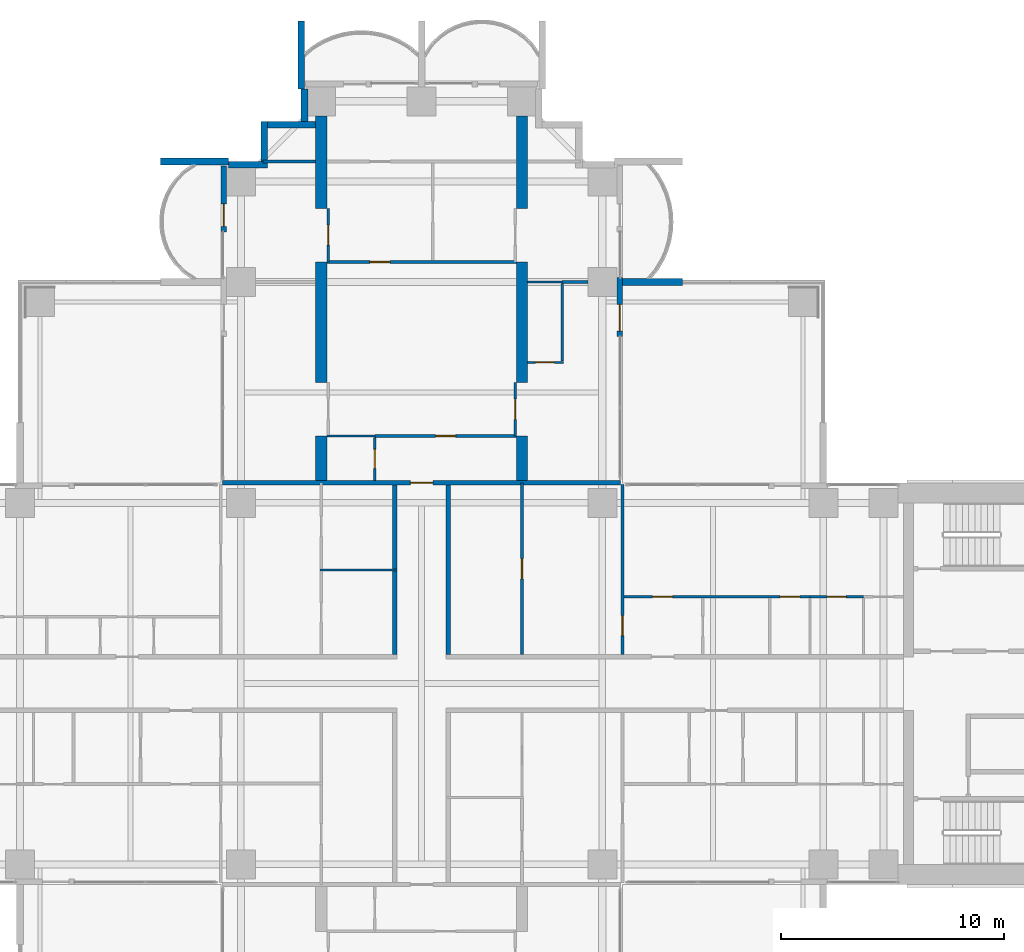
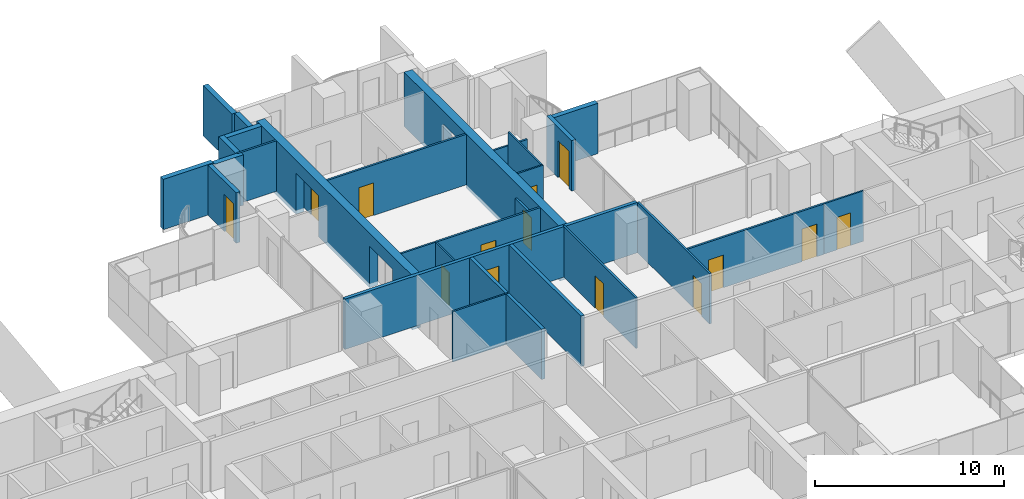
# One storey, part 15 of 22: 30 walls, 14 doors, 14 openings.
"""IFC4 building model written with IfcOpenShell, lengths in metres."""

from ifc_helpers import new_model, si_unit, direction, frame, frame_2d, origin, place, context, subcontext, project, spatial, polyline, rectangle, outline, extrude, material, layer, layer_set, material_profile, profile_set, type_object, element, fill, save


model = new_model("IFC4")

# Units and contexts
model_context = context("Model", 3, precision=1e-05, world=origin(), true_north=direction((0.0, 1.0)))
body_context = subcontext(model_context, "Body", "Model", "MODEL_VIEW")
ifc_project = project(units=[si_unit("LENGTHUNIT", "METRE"), si_unit("AREAUNIT", "SQUARE_METRE"), si_unit("VOLUMEUNIT", "CUBIC_METRE"), si_unit("PLANEANGLEUNIT", "RADIAN"), si_unit("MASSUNIT", "GRAM", prefix="KILO")], contexts=[model_context])

# Site, building, storey
site_placement = place(None, origin())
site = spatial("IfcSite", under=ifc_project, at=site_placement, CompositionType="ELEMENT")
building_placement = place(site_placement, origin())
building = spatial("IfcBuilding", under=site, at=building_placement, Name="Perihelion Cross Residences", CompositionType="ELEMENT")
storey_placement = place(building_placement, frame((0.0, 0.0, 50.5)))
storey = spatial("IfcBuildingStorey", under=building, at=storey_placement, Name="L09", CompositionType="ELEMENT", Elevation=50.5)

# Walls
ifc_material_1 = material(Name="Plasterboard partition")
ifc_layer_1 = layer(ifc_material_1, 0.199951171875)
ifc_layer_set_1 = layer_set([ifc_layer_1], Name="Apartment separation wall 200")
wall_type_1 = type_object("IfcWallType", Name="Apartment separation wall 200", PredefinedType="PARTITIONING", material=ifc_layer_set_1)
for number, where, z_axis, x_axis, name in (
    (1, (1.199951171875, 8.89990234375, 0.0), (0.0, 0.0, 1.0), (0.0, -1.0, 0.0), "Partition L09 W002"),
    (2, (-1.199951171875, 1.300048828125, 0.0), (0.0, 0.0, 1.0), (0.0, 1.0, 0.0), "Partition L09 W006"),
):
    element("IfcWall", number, at=place(storey_placement, frame(where, z_axis=z_axis, x_axis=x_axis)), inside=storey, type_object=wall_type_1, Name=name, PredefinedType="PARTITIONING", context=body_context, shape_type="SweptSolid", body=[
        extrude(rectangle(XDim=7.599853515625, YDim=0.199951171875, at=frame_2d((3.7998046875, 0.0))), origin(), (0.0, 0.0, 1.0), 3.25),
    ])

# Wall, opening, door
wall_1_placement = place(storey_placement, frame((-8.919921875, 9.0, 0.0), z_axis=(0.0, 0.0, 1.0), x_axis=(1.0, 0.0, 0.0)))
wall_1 = element("IfcWall", 3, at=wall_1_placement, inside=storey, type_object=wall_type_1, Name="Partition L09 W009", PredefinedType="PARTITIONING", context=body_context, shape_type="SweptSolid", body=[
    extrude(rectangle(XDim=17.83984375, YDim=0.199951171875, at=frame_2d((8.919921875, 0.0))), origin(), (0.0, 0.0, 1.0), 3.25),
])
opening_1_placement = place(wall_1_placement, frame((8.419921875, 0.0, 0.0)))
opening_1 = element("IfcOpeningElement", 4, at=opening_1_placement, cuts=wall_1, Name="Opening L09.A32", PredefinedType="OPENING", context=body_context, shape_type="SweptSolid", body=[
    extrude(rectangle(XDim=1.0, YDim=2.10009765625, at=frame_2d((0.5, 1.050048828125))), frame((0.0, 0.10986328125, 0.0), z_axis=(0.0, -1.0, 0.0), x_axis=(1.0, 0.0, 0.0)), (0.0, 0.0, 1.0), 0.219970703125),
])
ifc_material_2 = material(Name="Timber door leaf", Category="wood")
door_type_1 = type_object("IfcDoorType", Name="Flat entrance door 1000 x 2100", OperationType="SINGLE_SWING_LEFT", PredefinedType="DOOR", material=ifc_material_2)
door_1_placement = place(opening_1_placement, origin())
door_1 = element("IfcDoor", 5, at=door_1_placement, inside=storey, type_object=door_type_1, Name="Door L09.A32", OperationType="SINGLE_SWING_RIGHT", OverallHeight=2.10009765625, OverallWidth=1.0, PredefinedType="DOOR", context=body_context, shape_type="SweptSolid", body=[
    extrude(rectangle(XDim=1.0, YDim=2.10009765625, at=frame_2d((0.5, 1.050048828125))), frame((0.0, 0.02490234375, 0.0), z_axis=(0.0, -1.0, 0.0), x_axis=(1.0, 0.0, 0.0)), (0.0, 0.0, 1.0), 0.050048828125),
])
fill(opening_1, door_1)

ifc_material_3 = material(Name="Concrete C30/37, bronze-clad", Category="concrete")
ifc_layer_2 = layer(ifc_material_3, 0.25)
ifc_layer_set_2 = layer_set([ifc_layer_2], Name="Bronze-clad pier wall 250")
wall_type_2 = type_object("IfcWallType", Name="Bronze-clad pier wall 250", PredefinedType="SOLIDWALL", material=ifc_layer_set_2)
wall_2_placement = place(storey_placement, frame((8.875, 15.550048828125, 0.0), z_axis=(0.0, 0.0, 1.0), x_axis=(0.0, 1.0, 0.0)))
wall_2 = element("IfcWall", 6, at=wall_2_placement, inside=storey, type_object=wall_type_2, Name="Wall FW1 L09 north side east bay 1 pier", PredefinedType="SOLIDWALL", context=body_context, shape_type="SweptSolid", body=[
    extrude(rectangle(XDim=2.64990234375, YDim=0.25, at=frame_2d((1.324951171875, 0.0))), origin(), (0.0, 0.0, 1.0), 3.25),
])
opening_2_placement = place(wall_2_placement, frame((0.25, 0.0, 0.0)))
opening_2 = element("IfcOpeningElement", 7, at=opening_2_placement, cuts=wall_2, Name="Opening L09.E02", PredefinedType="OPENING", context=body_context, shape_type="SweptSolid", body=[
    extrude(rectangle(XDim=1.199951171875, YDim=2.39990234375, at=frame_2d((0.60009765625, 1.199951171875))), frame((0.0, 0.135009765625, 0.0), z_axis=(0.0, -1.0, 0.0), x_axis=(1.0, 0.0, 0.0)), (0.0, 0.0, 1.0), 0.27001953125),
])
ifc_material_4 = material(Name="Bronze anodised aluminium, glazed", Category="aluminium")
door_type_2 = type_object("IfcDoorType", Name="Balcony door 1200 x 2400", OperationType="NOTDEFINED", PredefinedType="DOOR", material=ifc_material_4)
door_2_placement = place(opening_2_placement, origin())
door_2 = element("IfcDoor", 8, at=door_2_placement, inside=storey, type_object=door_type_2, Name="Door L09.E02 north side east bay 1", OperationType="SINGLE_SWING_LEFT", OverallHeight=2.39990234375, OverallWidth=1.199951171875, PredefinedType="DOOR", context=body_context, shape_type="SweptSolid", body=[
    extrude(rectangle(XDim=1.199951171875, YDim=2.39990234375, at=frame_2d((0.60009765625, 1.199951171875))), frame((0.0, 0.02490234375, 0.0), z_axis=(0.0, -1.0, 0.0), x_axis=(1.0, 0.0, 0.0)), (0.0, 0.0, 1.0), 0.050048828125),
])
fill(opening_2, door_2)

wall_3_placement = place(storey_placement, frame((-8.875, 23.199951171875, 0.0), z_axis=(0.0, 0.0, 1.0), x_axis=(0.0, -1.0, 0.0)))
wall_3 = element("IfcWall", 9, at=wall_3_placement, inside=storey, type_object=wall_type_2, Name="Wall FW1 L09 north side west bay 1 pier", PredefinedType="SOLIDWALL", context=body_context, shape_type="SweptSolid", body=[
    extrude(rectangle(XDim=2.949951171875, YDim=0.25, at=frame_2d((1.47509765625, 0.0))), origin(), (0.0, 0.0, 1.0), 3.25),
])
opening_3_placement = place(wall_3_placement, frame((1.699951171875, 0.0, 0.0)))
opening_3 = element("IfcOpeningElement", 10, at=opening_3_placement, cuts=wall_3, Name="Opening L09.E06", PredefinedType="OPENING", context=body_context, shape_type="SweptSolid", body=[
    extrude(rectangle(XDim=1.0, YDim=2.39990234375, at=frame_2d((0.5, 1.199951171875))), frame((0.0, 0.135009765625, 0.0), z_axis=(0.0, -1.0, 0.0), x_axis=(1.0, 0.0, 0.0)), (0.0, 0.0, 1.0), 0.27001953125),
])
ifc_material_5 = material(Name="Bronze anodised aluminium, glazed", Category="aluminium")
door_type_3 = type_object("IfcDoorType", Name="Balcony door 1000 x 2400", OperationType="NOTDEFINED", PredefinedType="DOOR", material=ifc_material_5)
door_3_placement = place(opening_3_placement, origin())
door_3 = element("IfcDoor", 11, at=door_3_placement, inside=storey, type_object=door_type_3, Name="Door L09.E06 north side west bay 1", OperationType="SINGLE_SWING_LEFT", OverallHeight=2.39990234375, OverallWidth=1.0, PredefinedType="DOOR", context=body_context, shape_type="SweptSolid", body=[
    extrude(rectangle(XDim=1.0, YDim=2.39990234375, at=frame_2d((0.5, 1.199951171875))), frame((0.0, 0.02490234375, 0.0), z_axis=(0.0, -1.0, 0.0), x_axis=(1.0, 0.0, 0.0)), (0.0, 0.0, 1.0), 0.050048828125),
])
fill(opening_3, door_3)

# Walls
ifc_material_6 = material(Name="Concrete C30/37, bronze-clad", Category="concrete")
ifc_layer_3 = layer(ifc_material_6, 0.300048828125)
ifc_layer_set_3 = layer_set([ifc_layer_3], Name="Bronze-clad serration wall 300")
wall_type_3 = type_object("IfcWallType", Name="Bronze-clad serration wall 300", PredefinedType="SOLIDWALL", material=ifc_layer_set_3)
wall_4_placement = place(storey_placement, frame((-5.25, 26.64990234375, 0.0), z_axis=(0.0, 0.0, 1.0), x_axis=(0.0, -1.0, 0.0)))
element("IfcWall", 12, at=wall_4_placement, inside=storey, type_object=wall_type_3, Name="Wall SR1 L09 north corner north-west 1", PredefinedType="SOLIDWALL", context=body_context, shape_type="SweptSolid", body=[
    extrude(rectangle(XDim=1.449951171875, YDim=0.300048828125, at=frame_2d((0.72509765625, 0.0))), origin(), (0.0, 0.0, 1.0), 3.25),
])
wall_5_placement = place(storey_placement, frame((-4.75, 25.050048828125, 0.0), z_axis=(0.0, 0.0, 1.0), x_axis=(-1.0, 0.0, 0.0)))
element("IfcWall", 13, at=wall_5_placement, inside=storey, type_object=wall_type_3, Name="Wall SR1 L09 north corner north-west 2", PredefinedType="SOLIDWALL", context=body_context, shape_type="SweptSolid", body=[
    extrude(rectangle(XDim=2.14990234375, YDim=0.300048828125, at=frame_2d((1.074951171875, 0.0))), origin(), (0.0, 0.0, 1.0), 3.25),
])
wall_6_placement = place(storey_placement, frame((-7.050048828125, 25.199951171875, 0.0), z_axis=(0.0, 0.0, 1.0), x_axis=(0.0, -1.0, 0.0)))
element("IfcWall", 14, at=wall_6_placement, inside=storey, type_object=wall_type_3, Name="Wall SR1 L09 north corner north-west 3", PredefinedType="SOLIDWALL", context=body_context, shape_type="SweptSolid", body=[
    extrude(rectangle(XDim=1.800048828125, YDim=0.300048828125, at=frame_2d((0.89990234375, 0.0))), origin(), (0.0, 0.0, 1.0), 3.25),
])
wall_7_placement = place(storey_placement, frame((-6.89990234375, 23.25, 0.0), z_axis=(0.0, 0.0, 1.0), x_axis=(-1.0, 0.0, 0.0)))
element("IfcWall", 15, at=wall_7_placement, inside=storey, type_object=wall_type_3, Name="Wall SR1 L09 north corner north-west 4", PredefinedType="SOLIDWALL", context=body_context, shape_type="SweptSolid", body=[
    extrude(rectangle(XDim=1.75, YDim=0.300048828125, at=frame_2d((0.875, 0.0))), origin(), (0.0, 0.0, 1.0), 3.25),
])

# Wall, opening, door
ifc_material_7 = material(Name="Plasterboard partition")
ifc_layer_4 = layer(ifc_material_7, 0.1201171875)
ifc_layer_set_4 = layer_set([ifc_layer_4], Name="Infill panel 120")
wall_type_4 = type_object("IfcWallType", Name="Infill panel 120", PredefinedType="PARTITIONING", material=ifc_layer_set_4)
wall_8_placement = place(storey_placement, frame((4.18994140625, 11.10009765625, 0.0), z_axis=(0.0, 0.0, 1.0), x_axis=(0.0, 1.0, 0.0)))
wall_8 = element("IfcWall", 16, at=wall_8_placement, inside=storey, type_object=wall_type_4, Name="Partition L09 WI01", PredefinedType="PARTITIONING", context=body_context, shape_type="SweptSolid", body=[
    extrude(rectangle(XDim=2.39990234375, YDim=0.1201171875, at=frame_2d((1.199951171875, 0.0))), origin(), (0.0, 0.0, 1.0), 2.39990234375),
])
opening_4_placement = place(wall_8_placement, frame((0.75, 0.0, 0.0)))
opening_4 = element("IfcOpeningElement", 17, at=opening_4_placement, cuts=wall_8, Name="Opening L09.A51", PredefinedType="OPENING", context=body_context, shape_type="SweptSolid", body=[
    extrude(rectangle(XDim=0.89990234375, YDim=2.10009765625, at=frame_2d((0.449951171875, 1.050048828125))), frame((0.0, 0.070068359375, 0.0), z_axis=(0.0, -1.0, 0.0), x_axis=(1.0, 0.0, 0.0)), (0.0, 0.0, 1.0), 0.14013671875),
])
ifc_material_8 = material(Name="Timber door leaf", Category="wood")
door_type_4 = type_object("IfcDoorType", Name="Interior room door 900 x 2100", OperationType="SINGLE_SWING_LEFT", PredefinedType="DOOR", material=ifc_material_8)
door_4_placement = place(opening_4_placement, origin())
door_4 = element("IfcDoor", 18, at=door_4_placement, inside=storey, type_object=door_type_4, Name="Door L09.A51", OperationType="SINGLE_SWING_LEFT", OverallHeight=2.10009765625, OverallWidth=0.89990234375, PredefinedType="DOOR", context=body_context, shape_type="SweptSolid", body=[
    extrude(rectangle(XDim=0.89990234375, YDim=2.10009765625, at=frame_2d((0.449951171875, 1.050048828125))), frame((0.0, 0.02490234375, 0.0), z_axis=(0.0, -1.0, 0.0), x_axis=(1.0, 0.0, 0.0)), (0.0, 0.0, 1.0), 0.050048828125),
])
fill(opening_4, door_4)

wall_9_placement = place(storey_placement, frame((-4.18994140625, 18.89990234375, 0.0), z_axis=(0.0, 0.0, 1.0), x_axis=(0.0, 1.0, 0.0)))
wall_9 = element("IfcWall", 19, at=wall_9_placement, inside=storey, type_object=wall_type_4, Name="Partition L09 WI04", PredefinedType="PARTITIONING", context=body_context, shape_type="SweptSolid", body=[
    extrude(rectangle(XDim=2.400146484375, YDim=0.1201171875, at=frame_2d((1.2001953125, 0.0))), origin(), (0.0, 0.0, 1.0), 2.39990234375),
])
opening_5_placement = place(wall_9_placement, frame((0.75, 0.0, 0.0)))
opening_5 = element("IfcOpeningElement", 20, at=opening_5_placement, cuts=wall_9, Name="Opening L09.A54", PredefinedType="OPENING", context=body_context, shape_type="SweptSolid", body=[
    extrude(rectangle(XDim=0.89990234375, YDim=2.10009765625, at=frame_2d((0.449951171875, 1.050048828125))), frame((0.0, 0.070068359375, 0.0), z_axis=(0.0, -1.0, 0.0), x_axis=(1.0, 0.0, 0.0)), (0.0, 0.0, 1.0), 0.14013671875),
])
door_5_placement = place(opening_5_placement, origin())
door_5 = element("IfcDoor", 21, at=door_5_placement, inside=storey, type_object=door_type_4, Name="Door L09.A54", OperationType="SINGLE_SWING_LEFT", OverallHeight=2.10009765625, OverallWidth=0.89990234375, PredefinedType="DOOR", context=body_context, shape_type="SweptSolid", body=[
    extrude(rectangle(XDim=0.89990234375, YDim=2.10009765625, at=frame_2d((0.449951171875, 1.050048828125))), frame((0.0, 0.02490234375, 0.0), z_axis=(0.0, -1.0, 0.0), x_axis=(1.0, 0.0, 0.0)), (0.0, 0.0, 1.0), 0.050048828125),
])
fill(opening_5, door_5)

# Wall, openings, doors
ifc_material_9 = material(Name="Plasterboard partition")
ifc_layer_5 = layer(ifc_material_9, 0.1201171875)
ifc_layer_set_5 = layer_set([ifc_layer_5], Name="Partition wall 120")
wall_type_5 = type_object("IfcWallType", Name="Partition wall 120", PredefinedType="PARTITIONING", material=ifc_layer_set_5)
wall_10_placement = place(storey_placement, frame((8.93994140625, 3.89990234375, 0.0), z_axis=(0.0, 0.0, 1.0), x_axis=(1.0, 0.0, 0.0)))
wall_10 = element("IfcWall", 22, at=wall_10_placement, inside=storey, type_object=wall_type_5, Name="Partition L09 W012", PredefinedType="PARTITIONING", context=body_context, shape_type="SweptSolid", body=[
    extrude(rectangle(XDim=8.4599609375, YDim=0.1201171875, at=frame_2d((4.22998046875, 0.0))), origin(), (0.0, 0.0, 1.0), 3.25),
])
opening_6_placement = place(wall_10_placement, frame((7.110107421875, 0.0, 0.0)))
opening_6 = element("IfcOpeningElement", 23, at=opening_6_placement, cuts=wall_10, Name="Opening L09.A05", PredefinedType="OPENING", context=body_context, shape_type="SweptSolid", body=[
    extrude(rectangle(XDim=0.89990234375, YDim=2.10009765625, at=frame_2d((0.449951171875, 1.050048828125))), frame((0.0, 0.070068359375, 0.0), z_axis=(0.0, -1.0, 0.0), x_axis=(1.0, 0.0, 0.0)), (0.0, 0.0, 1.0), 0.14013671875),
])
opening_7_placement = place(wall_10_placement, frame((1.409912109375, 0.0, 0.0)))
opening_7 = element("IfcOpeningElement", 24, at=opening_7_placement, cuts=wall_10, Name="Opening L09.A06", PredefinedType="OPENING", context=body_context, shape_type="SweptSolid", body=[
    extrude(rectangle(XDim=0.89990234375, YDim=2.10009765625, at=frame_2d((0.449951171875, 1.050048828125))), frame((0.0, 0.070068359375, 0.0), z_axis=(0.0, -1.0, 0.0), x_axis=(1.0, 0.0, 0.0)), (0.0, 0.0, 1.0), 0.14013671875),
])
door_6_placement = place(opening_6_placement, origin())
door_6 = element("IfcDoor", 25, at=door_6_placement, inside=storey, type_object=door_type_4, Name="Door L09.A05", OperationType="SINGLE_SWING_RIGHT", OverallHeight=2.10009765625, OverallWidth=0.89990234375, PredefinedType="DOOR", context=body_context, shape_type="SweptSolid", body=[
    extrude(rectangle(XDim=0.89990234375, YDim=2.10009765625, at=frame_2d((0.449951171875, 1.050048828125))), frame((0.0, 0.02490234375, 0.0), z_axis=(0.0, -1.0, 0.0), x_axis=(1.0, 0.0, 0.0)), (0.0, 0.0, 1.0), 0.050048828125),
])
fill(opening_6, door_6)
door_7_placement = place(opening_7_placement, origin())
door_7 = element("IfcDoor", 26, at=door_7_placement, inside=storey, type_object=door_type_4, Name="Door L09.A06", OperationType="SINGLE_SWING_LEFT", OverallHeight=2.10009765625, OverallWidth=0.89990234375, PredefinedType="DOOR", context=body_context, shape_type="SweptSolid", body=[
    extrude(rectangle(XDim=0.89990234375, YDim=2.10009765625, at=frame_2d((0.449951171875, 1.050048828125))), frame((0.0, 0.02490234375, 0.0), z_axis=(0.0, -1.0, 0.0), x_axis=(1.0, 0.0, 0.0)), (0.0, 0.0, 1.0), 0.050048828125),
])
fill(opening_7, door_7)

# Wall, opening, door
wall_11_placement = place(storey_placement, frame((9.0, 1.300048828125, 0.0), z_axis=(0.0, 0.0, 1.0), x_axis=(0.0, 1.0, 0.0)))
wall_11 = element("IfcWall", 27, at=wall_11_placement, inside=storey, type_object=wall_type_5, Name="Partition L09 W013", PredefinedType="PARTITIONING", context=body_context, shape_type="SweptSolid", body=[
    extrude(rectangle(XDim=7.619873046875, YDim=0.1201171875, at=frame_2d((3.81005859375, 0.0))), origin(), (0.0, 0.0, 1.0), 3.25),
])
opening_8_placement = place(wall_11_placement, frame((0.85009765625, 0.0, 0.0)))
opening_8 = element("IfcOpeningElement", 28, at=opening_8_placement, cuts=wall_11, Name="Opening L09.A07", PredefinedType="OPENING", context=body_context, shape_type="SweptSolid", body=[
    extrude(rectangle(XDim=0.89990234375, YDim=2.10009765625, at=frame_2d((0.449951171875, 1.050048828125))), frame((0.0, 0.070068359375, 0.0), z_axis=(0.0, -1.0, 0.0), x_axis=(1.0, 0.0, 0.0)), (0.0, 0.0, 1.0), 0.14013671875),
])
door_8_placement = place(opening_8_placement, origin())
door_8 = element("IfcDoor", 29, at=door_8_placement, inside=storey, type_object=door_type_4, Name="Door L09.A07", OperationType="SINGLE_SWING_LEFT", OverallHeight=2.10009765625, OverallWidth=0.89990234375, PredefinedType="DOOR", context=body_context, shape_type="SweptSolid", body=[
    extrude(rectangle(XDim=0.89990234375, YDim=2.10009765625, at=frame_2d((0.449951171875, 1.050048828125))), frame((0.0, 0.02490234375, 0.0), z_axis=(0.0, -1.0, 0.0), x_axis=(1.0, 0.0, 0.0)), (0.0, 0.0, 1.0), 0.050048828125),
])
fill(opening_8, door_8)

wall_12_placement = place(storey_placement, frame((4.5, 1.300048828125, 0.0), z_axis=(0.0, 0.0, 1.0), x_axis=(0.0, 1.0, 0.0)))
wall_12 = element("IfcWall", 30, at=wall_12_placement, inside=storey, type_object=wall_type_5, Name="Partition L09 W019", PredefinedType="PARTITIONING", context=body_context, shape_type="SweptSolid", body=[
    extrude(rectangle(XDim=7.699951171875, YDim=0.1201171875, at=frame_2d((3.85009765625, 0.0))), origin(), (0.0, 0.0, 1.0), 3.25),
])
opening_9_placement = place(wall_12_placement, frame((3.39990234375, 0.0, 0.0)))
opening_9 = element("IfcOpeningElement", 31, at=opening_9_placement, cuts=wall_12, Name="Opening L09.A02", PredefinedType="OPENING", context=body_context, shape_type="SweptSolid", body=[
    extrude(rectangle(XDim=0.89990234375, YDim=2.10009765625, at=frame_2d((0.449951171875, 1.050048828125))), frame((0.0, 0.070068359375, 0.0), z_axis=(0.0, -1.0, 0.0), x_axis=(1.0, 0.0, 0.0)), (0.0, 0.0, 1.0), 0.14013671875),
])
door_9_placement = place(opening_9_placement, origin())
door_9 = element("IfcDoor", 32, at=door_9_placement, inside=storey, type_object=door_type_4, Name="Door L09.A02", OperationType="SINGLE_SWING_LEFT", OverallHeight=2.10009765625, OverallWidth=0.89990234375, PredefinedType="DOOR", context=body_context, shape_type="SweptSolid", body=[
    extrude(rectangle(XDim=0.89990234375, YDim=2.10009765625, at=frame_2d((0.449951171875, 1.050048828125))), frame((0.0, 0.02490234375, 0.0), z_axis=(0.0, -1.0, 0.0), x_axis=(1.0, 0.0, 0.0)), (0.0, 0.0, 1.0), 0.050048828125),
])
fill(opening_9, door_9)

wall_13_placement = place(storey_placement, frame((-2.10009765625, 11.10009765625, 0.0), z_axis=(0.0, 0.0, 1.0), x_axis=(1.0, 0.0, 0.0)))
wall_13 = element("IfcWall", 33, at=wall_13_placement, inside=storey, type_object=wall_type_5, Name="Partition L09 W054", PredefinedType="PARTITIONING", context=body_context, shape_type="SweptSolid", body=[
    extrude(rectangle(XDim=6.35009765625, YDim=0.1201171875, at=frame_2d((3.175048828125, 0.0))), origin(), (0.0, 0.0, 1.0), 3.25),
])
opening_10_placement = place(wall_13_placement, frame((2.72509765625, 0.0, 0.0)))
opening_10 = element("IfcOpeningElement", 34, at=opening_10_placement, cuts=wall_13, Name="Opening L09.A34", PredefinedType="OPENING", context=body_context, shape_type="SweptSolid", body=[
    extrude(rectangle(XDim=0.89990234375, YDim=2.10009765625, at=frame_2d((0.449951171875, 1.050048828125))), frame((0.0, 0.070068359375, 0.0), z_axis=(0.0, -1.0, 0.0), x_axis=(1.0, 0.0, 0.0)), (0.0, 0.0, 1.0), 0.14013671875),
])
door_10_placement = place(opening_10_placement, origin())
door_10 = element("IfcDoor", 35, at=door_10_placement, inside=storey, type_object=door_type_4, Name="Door L09.A34", OperationType="SINGLE_SWING_RIGHT", OverallHeight=2.10009765625, OverallWidth=0.89990234375, PredefinedType="DOOR", context=body_context, shape_type="SweptSolid", body=[
    extrude(rectangle(XDim=0.89990234375, YDim=2.10009765625, at=frame_2d((0.449951171875, 1.050048828125))), frame((0.0, 0.02490234375, 0.0), z_axis=(0.0, -1.0, 0.0), x_axis=(1.0, 0.0, 0.0)), (0.0, 0.0, 1.0), 0.050048828125),
])
fill(opening_10, door_10)

wall_14_placement = place(storey_placement, frame((-4.25, 18.89990234375, 0.0), z_axis=(0.0, 0.0, 1.0), x_axis=(1.0, 0.0, 0.0)))
wall_14 = element("IfcWall", 36, at=wall_14_placement, inside=storey, type_object=wall_type_5, Name="Partition L09 W056", PredefinedType="PARTITIONING", context=body_context, shape_type="SweptSolid", body=[
    extrude(rectangle(XDim=8.5, YDim=0.1201171875, at=frame_2d((4.25, 0.0))), origin(), (0.0, 0.0, 1.0), 3.25),
])
opening_11_placement = place(wall_14_placement, frame((1.925048828125, 0.0, 0.0)))
opening_11 = element("IfcOpeningElement", 37, at=opening_11_placement, cuts=wall_14, Name="Opening L09.A35", PredefinedType="OPENING", context=body_context, shape_type="SweptSolid", body=[
    extrude(rectangle(XDim=0.89990234375, YDim=2.10009765625, at=frame_2d((0.449951171875, 1.050048828125))), frame((0.0, 0.070068359375, 0.0), z_axis=(0.0, -1.0, 0.0), x_axis=(1.0, 0.0, 0.0)), (0.0, 0.0, 1.0), 0.14013671875),
])
door_11_placement = place(opening_11_placement, origin())
door_11 = element("IfcDoor", 38, at=door_11_placement, inside=storey, type_object=door_type_4, Name="Door L09.A35", OperationType="SINGLE_SWING_RIGHT", OverallHeight=2.10009765625, OverallWidth=0.89990234375, PredefinedType="DOOR", context=body_context, shape_type="SweptSolid", body=[
    extrude(rectangle(XDim=0.89990234375, YDim=2.10009765625, at=frame_2d((0.449951171875, 1.050048828125))), frame((0.0, 0.02490234375, 0.0), z_axis=(0.0, -1.0, 0.0), x_axis=(1.0, 0.0, 0.0)), (0.0, 0.0, 1.0), 0.050048828125),
])
fill(opening_11, door_11)

# Walls
wall_15_placement = place(storey_placement, frame((6.300048828125, 18.0, 0.0), z_axis=(0.0, 0.0, 1.0), x_axis=(1.0, 0.0, 0.0)))
element("IfcWall", 39, at=wall_15_placement, inside=storey, type_object=wall_type_5, Name="Partition L09 W061", PredefinedType="PARTITIONING", context=body_context, shape_type="SweptSolid", body=[
    extrude(rectangle(XDim=1.14990234375, YDim=0.1201171875, at=frame_2d((0.574951171875, 0.0))), origin(), (0.0, 0.0, 1.0), 2.345947265625),
])
wall_16_placement = place(storey_placement, frame((-7.1201171875, 23.39990234375, 0.0), z_axis=(0.0, 0.0, 1.0), x_axis=(1.0, 0.0, 0.0)))
element("IfcWall", 40, at=wall_16_placement, inside=storey, type_object=wall_type_5, Name="Partition L09 W065", PredefinedType="PARTITIONING", context=body_context, shape_type="SweptSolid", body=[
    extrude(rectangle(XDim=2.3701171875, YDim=0.1201171875, at=frame_2d((1.18505859375, 0.0))), origin(), (0.0, 0.0, 1.0), 3.25),
])
ifc_material_10 = material(Name="Precast concrete C50/60", Category="concrete")
ifc_layer_6 = layer(ifc_material_10, 0.300048828125)
ifc_layer_set_6 = layer_set([ifc_layer_6], Name="Precast concrete C50/60 blade wall 300")
wall_type_6 = type_object("IfcWallType", Name="Precast concrete C50/60 blade wall 300", PredefinedType="SOLIDWALL", material=ifc_layer_set_6)
for number, where, z_axis, x_axis, name in (
    (41, (-8.64990234375, 23.39990234375, 0.0), (0.0, 0.0, 1.0), (-1.0, 0.0, 0.0), "Wall BL1 L09 no. 8"),
    (42, (-5.39990234375, 26.64990234375, 0.0), (0.0, 0.0, 1.0), (0.0, 1.0, 0.0), "Wall BL1 L09 no. 4"),
):
    element("IfcWall", number, at=place(storey_placement, frame(where, z_axis=z_axis, x_axis=x_axis)), inside=storey, type_object=wall_type_6, Name=name, PredefinedType="SOLIDWALL", context=body_context, shape_type="SweptSolid", body=[
        extrude(rectangle(XDim=3.050048828125, YDim=0.300048828125, at=frame_2d((1.52490234375, 0.0))), origin(), (0.0, 0.0, 1.0), 3.25),
    ])
wall_17_placement = place(storey_placement, frame((8.75, 18.0, 0.0), z_axis=(0.0, 0.0, 1.0), x_axis=(1.0, 0.0, 0.0)))
element("IfcWall", 43, at=wall_17_placement, inside=storey, type_object=wall_type_6, Name="Wall BL1 L09 no. 17", PredefinedType="SOLIDWALL", context=body_context, shape_type="SweptSolid", body=[
    extrude(rectangle(XDim=2.949951171875, YDim=0.300048828125, at=frame_2d((1.47509765625, 0.0))), origin(), (0.0, 0.0, 1.0), 3.25),
])
ifc_material_11 = material(Name="Concrete C60/75", Category="concrete")
ifc_material_profile = material_profile(ifc_material_11, outline(polyline([(0.0, 0.0), (2.10009765625, 0.0), (2.10009765625, 2.64990234375), (4.5, 2.64990234375), (4.5, 0.0), (9.89990234375, 0.0), (9.89990234375, 2.64990234375), (12.300048828125, 2.64990234375), (12.300048828125, 0.0), (16.449951171875, 0.0), (16.449951171875, 3.5), (0.0, 3.5), (0.0, 0.0)])), Name="Tip spine wall")
ifc_profile_set = profile_set([ifc_material_profile], Name="Concrete C60/75")
wall_type_7 = type_object("IfcWallType", Name="Tip spine wall 500 with 2 door openings 16450 long 3500 high concrete C60/75 hand B", PredefinedType="SHEAR", material=ifc_profile_set)
for number, where, z_axis, x_axis, name in (
    (44, (-4.75, 9.0, -0.25), (1.0, 0.0, 0.0), (0.0, 1.0, 0.0), "Shear wall SW23 L09 north west"),
    (45, (4.25, 9.0, -0.25), (1.0, 0.0, 0.0), (0.0, 1.0, 0.0), "Shear wall SW23 L09 north east"),
):
    element("IfcWall", number, at=place(storey_placement, frame(where, z_axis=z_axis, x_axis=x_axis)), inside=storey, type_object=wall_type_7, Name=name, PredefinedType="SHEAR", context=body_context, shape_type="SweptSolid", body=[
        extrude(outline(polyline([(0.0, 0.0), (2.10009765625, 0.0), (2.10009765625, 2.64990234375), (4.5, 2.64990234375), (4.5, 0.0), (9.89990234375, 0.0), (9.89990234375, 2.64990234375), (12.300048828125, 2.64990234375), (12.300048828125, 0.0), (16.449951171875, 0.0), (16.449951171875, 3.5), (0.0, 3.5), (0.0, 0.0)])), origin(), (0.0, 0.0, 1.0), 0.5),
    ])

# Wall, opening, door
ifc_material_12 = material(Name="Plasterboard partition")
ifc_layer_7 = layer(ifc_material_12, 0.10009765625)
ifc_layer_set_7 = layer_set([ifc_layer_7], Name="Wet room wall 100")
wall_type_8 = type_object("IfcWallType", Name="Wet room wall 100", PredefinedType="PARTITIONING", material=ifc_layer_set_7)
wall_18_placement = place(storey_placement, frame((17.39990234375, 3.89990234375, 0.0), z_axis=(0.0, 0.0, 1.0), x_axis=(1.0, 0.0, 0.0)))
wall_18 = element("IfcWall", 46, at=wall_18_placement, inside=storey, type_object=wall_type_8, Name="Partition L09 W017", PredefinedType="PARTITIONING", context=body_context, shape_type="SweptSolid", body=[
    extrude(rectangle(XDim=2.400146484375, YDim=0.10009765625, at=frame_2d((1.2001953125, 0.0))), origin(), (0.0, 0.0, 1.0), 3.25),
])
opening_12_placement = place(wall_18_placement, frame((0.77490234375, 0.0, 0.0)))
opening_12 = element("IfcOpeningElement", 47, at=opening_12_placement, cuts=wall_18, Name="Opening L09.A01", PredefinedType="OPENING", context=body_context, shape_type="SweptSolid", body=[
    extrude(rectangle(XDim=0.85009765625, YDim=2.10009765625, at=frame_2d((0.425048828125, 1.050048828125))), frame((0.0, 0.06005859375, 0.0), z_axis=(0.0, -1.0, 0.0), x_axis=(1.0, 0.0, 0.0)), (0.0, 0.0, 1.0), 0.1201171875),
])
ifc_material_13 = material(Name="Timber door leaf", Category="wood")
door_type_5 = type_object("IfcDoorType", Name="Interior bathroom door 850 x 2100", OperationType="SINGLE_SWING_LEFT", PredefinedType="DOOR", material=ifc_material_13)
door_12_placement = place(opening_12_placement, origin())
door_12 = element("IfcDoor", 48, at=door_12_placement, inside=storey, type_object=door_type_5, Name="Door L09.A01", OperationType="SINGLE_SWING_LEFT", OverallHeight=2.10009765625, OverallWidth=0.85009765625, PredefinedType="DOOR", context=body_context, shape_type="SweptSolid", body=[
    extrude(rectangle(XDim=0.85009765625, YDim=2.10009765625, at=frame_2d((0.425048828125, 1.050048828125))), frame((0.0, 0.02490234375, 0.0), z_axis=(0.0, -1.0, 0.0), x_axis=(1.0, 0.0, 0.0)), (0.0, 0.0, 1.0), 0.050048828125),
])
fill(opening_12, door_12)

# Wall
wall_19_placement = place(storey_placement, frame((-4.56005859375, 5.10009765625, 0.0), z_axis=(0.0, 0.0, 1.0), x_axis=(1.0, 0.0, 0.0)))
element("IfcWall", 49, at=wall_19_placement, inside=storey, type_object=wall_type_8, Name="Partition L09 W041", PredefinedType="PARTITIONING", context=body_context, shape_type="SweptSolid", body=[
    extrude(rectangle(XDim=3.4599609375, YDim=0.10009765625, at=frame_2d((1.72998046875, 0.0))), origin(), (0.0, 0.0, 1.0), 3.25),
])

# Wall, opening, door
wall_20_placement = place(storey_placement, frame((-2.10009765625, 9.10009765625, 0.0), z_axis=(0.0, 0.0, 1.0), x_axis=(0.0, 1.0, 0.0)))
wall_20 = element("IfcWall", 50, at=wall_20_placement, inside=storey, type_object=wall_type_8, Name="Partition L09 W053", PredefinedType="PARTITIONING", context=body_context, shape_type="SweptSolid", body=[
    extrude(rectangle(XDim=1.93994140625, YDim=0.10009765625, at=frame_2d((0.969970703125, 0.0))), origin(), (0.0, 0.0, 1.0), 3.25),
])
opening_13_placement = place(wall_20_placement, frame((0.544921875, 0.0, 0.0)))
opening_13 = element("IfcOpeningElement", 51, at=opening_13_placement, cuts=wall_20, Name="Opening L09.A33", PredefinedType="OPENING", context=body_context, shape_type="SweptSolid", body=[
    extrude(rectangle(XDim=0.85009765625, YDim=2.10009765625, at=frame_2d((0.425048828125, 1.050048828125))), frame((0.0, 0.06005859375, 0.0), z_axis=(0.0, -1.0, 0.0), x_axis=(1.0, 0.0, 0.0)), (0.0, 0.0, 1.0), 0.1201171875),
])
door_13_placement = place(opening_13_placement, origin())
door_13 = element("IfcDoor", 52, at=door_13_placement, inside=storey, type_object=door_type_5, Name="Door L09.A33", OperationType="SINGLE_SWING_LEFT", OverallHeight=2.10009765625, OverallWidth=0.85009765625, PredefinedType="DOOR", context=body_context, shape_type="SweptSolid", body=[
    extrude(rectangle(XDim=0.85009765625, YDim=2.10009765625, at=frame_2d((0.425048828125, 1.050048828125))), frame((0.0, 0.02490234375, 0.0), z_axis=(0.0, -1.0, 0.0), x_axis=(1.0, 0.0, 0.0)), (0.0, 0.0, 1.0), 0.050048828125),
])
fill(opening_13, door_13)

# Wall
wall_21_placement = place(storey_placement, frame((-4.25, 11.10009765625, 0.0), z_axis=(0.0, 0.0, 1.0), x_axis=(1.0, 0.0, 0.0)))
element("IfcWall", 53, at=wall_21_placement, inside=storey, type_object=wall_type_8, Name="Partition L09 W055", PredefinedType="PARTITIONING", context=body_context, shape_type="SweptSolid", body=[
    extrude(rectangle(XDim=2.14990234375, YDim=0.10009765625, at=frame_2d((1.074951171875, 0.0))), origin(), (0.0, 0.0, 1.0), 3.25),
])

# Wall, opening, door
wall_22_placement = place(storey_placement, frame((4.75, 14.39990234375, 0.0), z_axis=(0.0, 0.0, 1.0), x_axis=(1.0, 0.0, 0.0)))
wall_22 = element("IfcWall", 54, at=wall_22_placement, inside=storey, type_object=wall_type_8, Name="Partition L09 W059", PredefinedType="PARTITIONING", context=body_context, shape_type="SweptSolid", body=[
    extrude(rectangle(XDim=1.60009765625, YDim=0.10009765625, at=frame_2d((0.800048828125, 0.0))), origin(), (0.0, 0.0, 1.0), 3.25),
])
opening_14_placement = place(wall_22_placement, frame((0.35009765625, 0.0, 0.0)))
opening_14 = element("IfcOpeningElement", 55, at=opening_14_placement, cuts=wall_22, Name="Opening L09.A38", PredefinedType="OPENING", context=body_context, shape_type="SweptSolid", body=[
    extrude(rectangle(XDim=0.85009765625, YDim=2.10009765625, at=frame_2d((0.425048828125, 1.050048828125))), frame((0.0, 0.06005859375, 0.0), z_axis=(0.0, -1.0, 0.0), x_axis=(1.0, 0.0, 0.0)), (0.0, 0.0, 1.0), 0.1201171875),
])
door_14_placement = place(opening_14_placement, origin())
door_14 = element("IfcDoor", 56, at=door_14_placement, inside=storey, type_object=door_type_5, Name="Door L09.A38", OperationType="SINGLE_SWING_RIGHT", OverallHeight=2.10009765625, OverallWidth=0.85009765625, PredefinedType="DOOR", context=body_context, shape_type="SweptSolid", body=[
    extrude(rectangle(XDim=0.85009765625, YDim=2.10009765625, at=frame_2d((0.425048828125, 1.050048828125))), frame((0.0, 0.02490234375, 0.0), z_axis=(0.0, -1.0, 0.0), x_axis=(1.0, 0.0, 0.0)), (0.0, 0.0, 1.0), 0.050048828125),
])
fill(opening_14, door_14)

# Walls
wall_23_placement = place(storey_placement, frame((6.300048828125, 14.449951171875, 0.0), z_axis=(0.0, 0.0, 1.0), x_axis=(0.0, 1.0, 0.0)))
element("IfcWall", 57, at=wall_23_placement, inside=storey, type_object=wall_type_8, Name="Partition L09 W060", PredefinedType="PARTITIONING", context=body_context, shape_type="SweptSolid", body=[
    extrude(rectangle(XDim=3.489990234375, YDim=0.10009765625, at=frame_2d((1.7451171875, 0.0))), origin(), (0.0, 0.0, 1.0), 3.25),
])
wall_24_placement = place(storey_placement, frame((4.75, 18.0, 0.0), z_axis=(0.0, 0.0, 1.0), x_axis=(1.0, 0.0, 0.0)))
element("IfcWall", 58, at=wall_24_placement, inside=storey, type_object=wall_type_8, Name="Partition L09 W062", PredefinedType="PARTITIONING", context=body_context, shape_type="SweptSolid", body=[
    extrude(rectangle(XDim=1.550048828125, YDim=0.10009765625, at=frame_2d((0.77490234375, 0.0))), origin(), (0.0, 0.0, 1.0), 2.345947265625),
])

save(model, "model.ifc")
